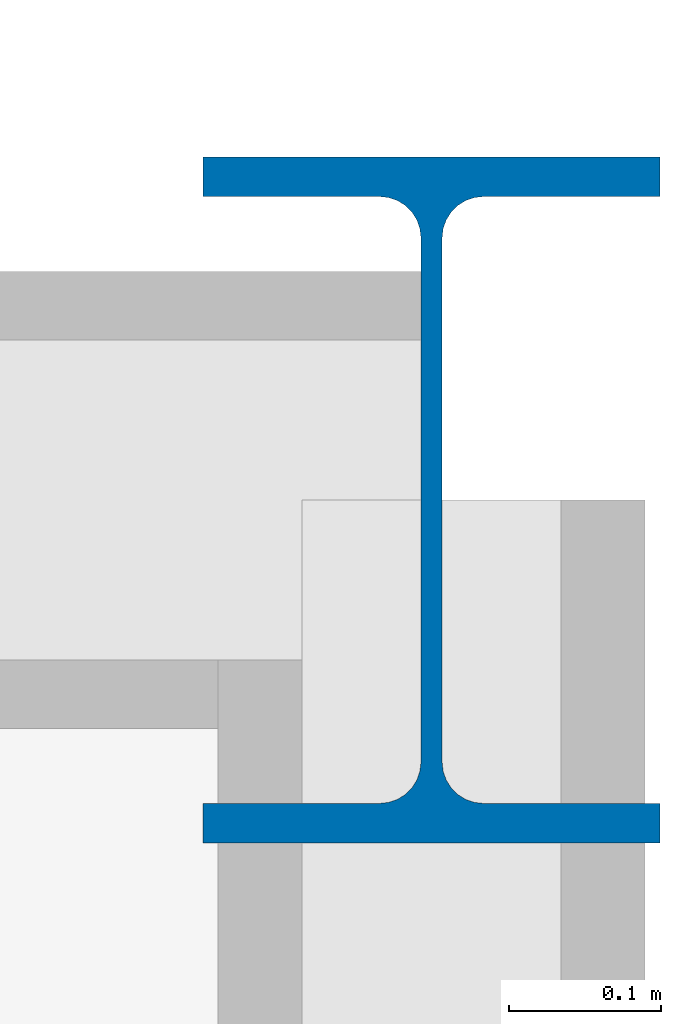
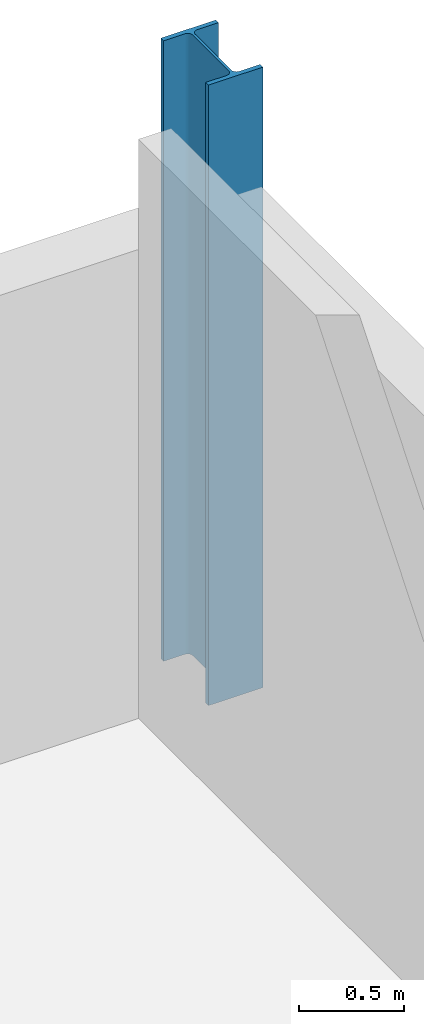
# One storey, part 6 of 34: 1 column.
"""IFC4 building model written with IfcOpenShell, lengths in metres."""

from ifc_helpers import new_model, si_unit, direction, frame, origin, origin_2d, place, context, subcontext, project, spatial, i_section, extrude, material, material_profile, profile_set, type_object, element, save


model = new_model("IFC4")

# Units and contexts
model_context = context("Model", 3, precision=1e-05, world=origin(), true_north=direction((0.0, 1.0)))
body_context = subcontext(model_context, "Body", "Model", "MODEL_VIEW")
ifc_project = project(units=[si_unit("LENGTHUNIT", "METRE"), si_unit("AREAUNIT", "SQUARE_METRE"), si_unit("VOLUMEUNIT", "CUBIC_METRE"), si_unit("PLANEANGLEUNIT", "RADIAN"), si_unit("MASSUNIT", "GRAM", prefix="KILO")], contexts=[model_context])

# Site, building, storey
site_placement = place(None, origin())
site = spatial("IfcSite", under=ifc_project, at=site_placement, CompositionType="ELEMENT")
building_placement = place(site_placement, origin())
building = spatial("IfcBuilding", under=site, at=building_placement, Name="Sefraquen Railside Congress Hotel", CompositionType="ELEMENT")
storey_placement = place(building_placement, frame((0.0, 0.0, 31.800048828125)))
storey = spatial("IfcBuildingStorey", under=building, at=storey_placement, Name="L07", CompositionType="ELEMENT", Elevation=31.800048828125)

# Column
ifc_material = material(Name="Steel S355JR", Category="steel")
ifc_material_profile = material_profile(ifc_material, i_section(OverallWidth=0.300048828125, OverallDepth=0.449951171875, WebThickness=0.013916015625, FlangeThickness=0.02587890625, FilletRadius=0.027099609375, at=origin_2d()), Name="HEB 450")
ifc_profile_set = profile_set([ifc_material_profile], Name="Steel S355JR")
column_type = type_object("IfcColumnType", Name="TC-HEB-450", PredefinedType="COLUMN", material=ifc_profile_set)
column_placement = place(storey_placement, frame((120.0, 118.0, 0.0), z_axis=(0.0, 0.0, 1.0), x_axis=(1.0, 0.0, 0.0)))
element("IfcColumn", 1, at=column_placement, inside=storey, type_object=column_type, Name="Structural column 16-Q L07", PredefinedType="COLUMN", context=body_context, shape_type="SweptSolid", body=[
    extrude(i_section(OverallWidth=0.300048828125, OverallDepth=0.449951171875, WebThickness=0.013916015625, FlangeThickness=0.02587890625, FilletRadius=0.027099609375, at=origin_2d()), origin(), (0.0, 0.0, 1.0), 3.599853515625),
])

save(model, "model.ifc")
